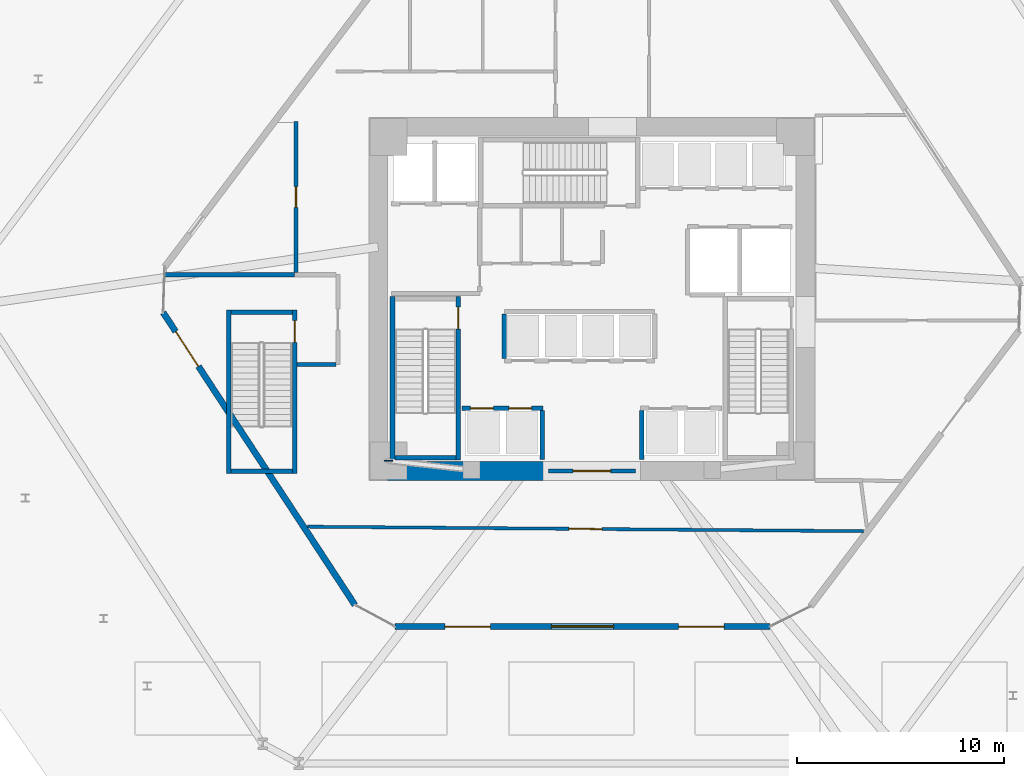
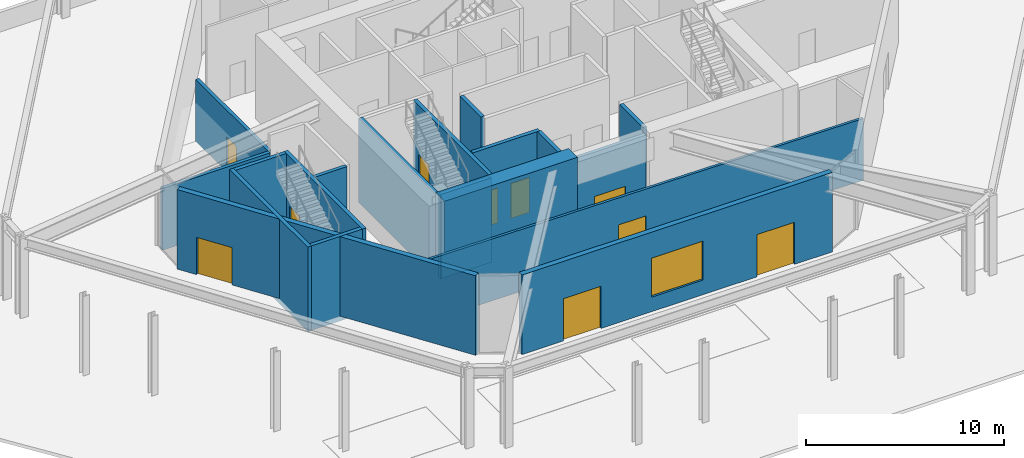
# One storey, part 12 of 18: 19 walls, 10 doors, 1 plate, 1 window, 11 openings.
"""IFC4 building model written with IfcOpenShell, lengths in metres."""

import ifcopenshell
import ifcopenshell.guid

model = None  # the IFC model being written
_history = None  # IfcOwnerHistory: only IFC2X3 demands one
_inside = {}  # id of a spatial element -> (the spatial element, [elements in it])
_under = {}  # id of a project, library or spatial element -> (it, [spatial elements below it])
_declared = {}  # id of a project -> (the project, [libraries it declares])
_typed = {}  # id of a type object -> (the type object, [elements of that type])
_made_of = {}  # id of a material, layer set ... -> (it, [elements and type objects made of it])


def new_model(schema):
    """Start an empty IFC model of exactly this schema.

    Asked for "IFC4X3", IfcOpenShell would pick the latest addendum, in which some entities
    have other attributes; the version numbers below select the first issue.
    IFC2X3 requires an IfcOwnerHistory on every rooted entity: one is made here for all.
    """
    global model, _history
    if schema == "IFC4X3":
        model = ifcopenshell.file(schema_version=(4, 3, 0, 0))
    else:
        model = ifcopenshell.file(schema=schema)
    _inside.clear()
    _under.clear()
    _declared.clear()
    _typed.clear()
    _made_of.clear()
    _history = None
    if model.schema == "IFC2X3":
        org = make("IfcOrganization", Name="unknown")
        user = make(
            "IfcPersonAndOrganization",
            ThePerson=make("IfcPerson", FamilyName="unknown"),
            TheOrganization=org,
        )
        app = make(
            "IfcApplication",
            ApplicationDeveloper=org,
            Version="unknown",
            ApplicationFullName="unknown",
            ApplicationIdentifier="unknown",
        )
        _history = make(
            "IfcOwnerHistory",
            OwningUser=user,
            OwningApplication=app,
            ChangeAction="ADDED",
            CreationDate=0,
        )
    return model


def make(cls, **values):
    """One entity of the class cls with the attributes given. An attribute that is None is left unset."""
    return model.create_entity(
        cls, **{name: value for name, value in values.items() if value is not None}
    )


def rooted(cls, **values):
    """An entity with a GlobalId (a new one), such as an element, a storey or a relation."""
    return make(cls, GlobalId=ifcopenshell.guid.new(), OwnerHistory=_history, **values)


def si_unit(unit_type, name, prefix=None):
    """IfcSIUnit, for example si_unit("LENGTHUNIT", "METRE", prefix="MILLI")."""
    return make("IfcSIUnit", UnitType=unit_type, Prefix=prefix, Name=name)


def assignment(units):
    """IfcUnitAssignment: the units of a project."""
    return None if units is None else make("IfcUnitAssignment", Units=units)


def point(xyz):
    """IfcCartesianPoint."""
    return None if xyz is None else make("IfcCartesianPoint", Coordinates=xyz)


def direction(xyz):
    """IfcDirection."""
    return None if xyz is None else make("IfcDirection", DirectionRatios=xyz)


def frame(location, z_axis=None, x_axis=None):
    """IfcAxis2Placement3D, a coordinate frame: its origin and axes. An axis left out is left unset."""
    return make(
        "IfcAxis2Placement3D",
        Location=point(location),
        Axis=direction(z_axis),
        RefDirection=direction(x_axis),
    )


def frame_2d(location, x_axis=None):
    """IfcAxis2Placement2D, a coordinate frame in the plane: its origin and x axis."""
    return make(
        "IfcAxis2Placement2D", Location=point(location), RefDirection=direction(x_axis)
    )


def origin():
    """The frame at (0, 0, 0) with its axes left unset."""
    return frame((0.0, 0.0, 0.0))


def origin_2d():
    """The frame at (0, 0) in the plane with its x axis left unset."""
    return frame_2d((0.0, 0.0))


def place(relative_to, where):
    """IfcLocalPlacement: puts the frame where relative to a parent placement (None: the world)."""
    return make(
        "IfcLocalPlacement", PlacementRelTo=relative_to, RelativePlacement=where
    )


def context(
    kind, dimensions, precision=None, world=None, true_north=None, identifier=None
):
    """IfcGeometricRepresentationContext, for example the 3D "Model" context."""
    return make(
        "IfcGeometricRepresentationContext",
        ContextIdentifier=identifier,
        ContextType=kind,
        CoordinateSpaceDimension=dimensions,
        Precision=precision,
        WorldCoordinateSystem=world,
        TrueNorth=true_north,
    )


def subcontext(parent, identifier, kind, view, scale=None):
    """IfcGeometricRepresentationSubContext, for example "Body" below "Model"."""
    return make(
        "IfcGeometricRepresentationSubContext",
        ContextIdentifier=identifier,
        ContextType=kind,
        ParentContext=parent,
        TargetScale=scale,
        TargetView=view,
    )


def project(units=None, contexts=None):
    """IfcProject with its units and contexts."""
    return rooted(
        "IfcProject",
        Name="project",
        RepresentationContexts=contexts,
        UnitsInContext=assignment(units),
    )


def spatial(cls, under=None, at=None, **own):
    """A site, building, storey or space (cls), placed at a placement, below another one or the project."""
    s = rooted(cls, ObjectPlacement=at, **own)
    if under is not None:
        _under.setdefault(under.id(), (under, []))[1].append(s)
    return s


def profile(cls, at=None, kind="AREA", **sizes):
    """A parametric profile (cls). Its sizes go by their IFC names, for example OverallWidth=200.0."""
    return make(cls, ProfileType=kind, Position=at, **sizes)


def rectangle(**sizes):
    """IfcRectangleProfileDef."""
    return profile("IfcRectangleProfileDef", **sizes)


def extrude(swept, where, along, depth):
    """IfcExtrudedAreaSolid: the profile swept, set in the frame where, extruded along a direction by depth."""
    return make(
        "IfcExtrudedAreaSolid",
        SweptArea=swept,
        Position=where,
        ExtrudedDirection=direction(along),
        Depth=depth,
    )


def shape(context_of_items, identifier, shape_type, items):
    """IfcShapeRepresentation: the items that make up one representation, for example the "Body"."""
    return make(
        "IfcShapeRepresentation",
        ContextOfItems=context_of_items,
        RepresentationIdentifier=identifier,
        RepresentationType=shape_type,
        Items=items,
    )


def source(mapping_origin, context_of_items, identifier, shape_type, items):
    """IfcRepresentationMap: a shape defined once, which mapped items show again and again."""
    return make(
        "IfcRepresentationMap",
        MappingOrigin=mapping_origin,
        MappedRepresentation=shape(context_of_items, identifier, shape_type, items),
    )


def transform(
    local_origin,
    x_axis=None,
    y_axis=None,
    z_axis=None,
    scale=None,
    scale2=None,
    scale3=None,
    uniform=True,
):
    """IfcCartesianTransformationOperator3D, or its non-uniform kind. x_axis, y_axis, z_axis: its Axis1, 2, 3."""
    if uniform:
        return make(
            "IfcCartesianTransformationOperator3D",
            Axis1=direction(x_axis),
            Axis2=direction(y_axis),
            LocalOrigin=point(local_origin),
            Scale=scale,
            Axis3=direction(z_axis),
        )
    return make(
        "IfcCartesianTransformationOperator3DnonUniform",
        Axis1=direction(x_axis),
        Axis2=direction(y_axis),
        LocalOrigin=point(local_origin),
        Scale=scale,
        Axis3=direction(z_axis),
        Scale2=scale2,
        Scale3=scale3,
    )


def mapped(mapping_source, mapping_target):
    """IfcMappedItem: shows the shape of a source again, moved by a transform."""
    return make(
        "IfcMappedItem", MappingSource=mapping_source, MappingTarget=mapping_target
    )


def material(Name=None, Category=None):
    """IfcMaterial."""
    return make("IfcMaterial", Name=Name, Category=Category)


def layer(
    of_material, thickness, ventilated=None, Name=None, Category=None, Priority=None
):
    """IfcMaterialLayer: one layer of a wall or slab, of a material (None: an air gap)."""
    return make(
        "IfcMaterialLayer",
        Material=of_material,
        LayerThickness=thickness,
        IsVentilated=ventilated,
        Name=Name,
        Category=Category,
        Priority=Priority,
    )


def layer_set(layers, Name=None):
    """IfcMaterialLayerSet."""
    return make("IfcMaterialLayerSet", MaterialLayers=layers, LayerSetName=Name)


def made_of(thing, what):
    """Note that an element or type object is made of a material, layer set ...; save() writes the relation."""
    if what is not None:
        _made_of.setdefault(what.id(), (what, []))[1].append(thing)
    return thing


def type_object(cls, material=None, **own):
    """A type object (cls), such as IfcWallType, which elements share."""
    return made_of(rooted(cls, **own), material)


def type_shapes(of_type, sources):
    """Give a type object the sources (RepresentationMaps) that its elements show as mapped items."""
    of_type.RepresentationMaps = sources


def element(
    cls,
    number,
    at=None,
    inside=None,
    cuts=None,
    type_object=None,
    material=None,
    context=None,
    identifier="Body",
    shape_type=None,
    held_by="IfcProductDefinitionShape",
    body=None,
    shapes=None,
    **own,
):
    """One element of the class cls, such as IfcWall. Its Tag is "e" and its number.

    at: its placement. inside: the storey or other place that contains it. cuts: it is an
    opening in that element (IfcRelVoidsElement). A single representation is given by context,
    identifier, shape_type and body (its items); several are given by shapes. held_by: the class
    of the entity that holds the representations. save() writes the other relations.
    """
    e = rooted(cls, Tag="e%d" % number, ObjectPlacement=at, **own)
    if body is not None:
        shapes = [shape(context, identifier, shape_type, body)]
    if shapes is not None:
        e.Representation = make(held_by, Representations=shapes)
    if inside is not None:
        _inside.setdefault(inside.id(), (inside, []))[1].append(e)
    if cuts is not None:
        rooted(
            "IfcRelVoidsElement", RelatingBuildingElement=cuts, RelatedOpeningElement=e
        )
    if type_object is not None:
        _typed.setdefault(type_object.id(), (type_object, []))[1].append(e)
    return made_of(e, material)


def fill(opening, filler):
    """IfcRelFillsElement: the door or window that sits in an opening."""
    return rooted(
        "IfcRelFillsElement",
        RelatingOpeningElement=opening,
        RelatedBuildingElement=filler,
    )


def aggregate(whole, parts):
    """IfcRelAggregates: a whole, such as a stair, and the parts it consists of."""
    return rooted("IfcRelAggregates", RelatingObject=whole, RelatedObjects=parts)


def save(model, path):
    """Write the relations noted so far, then the file.

    IfcRelAggregates (storeys below a building ...), IfcRelContainedInSpatialStructure (elements
    in a storey), IfcRelDefinesByType, IfcRelAssociatesMaterial and IfcRelDeclares: one each for
    every whole, place, type object, material and project.
    """
    for whole, parts in _under.values():
        aggregate(whole, parts)
    for where, things in _inside.values():
        rooted(
            "IfcRelContainedInSpatialStructure",
            RelatedElements=things,
            RelatingStructure=where,
        )
    for kind, things in _typed.values():
        rooted("IfcRelDefinesByType", RelatedObjects=things, RelatingType=kind)
    for what, things in _made_of.values():
        rooted("IfcRelAssociatesMaterial", RelatedObjects=things, RelatingMaterial=what)
    for by, libraries in _declared.values():
        rooted("IfcRelDeclares", RelatingContext=by, RelatedDefinitions=libraries)
    model.write(path)


model = new_model("IFC4")

# Units and contexts
model_context = context("Model", 3, precision=1e-05, world=origin(), true_north=direction((0.0, 1.0)))
body_context = subcontext(model_context, "Body", "Model", "MODEL_VIEW")
ifc_project = project(units=[si_unit("LENGTHUNIT", "METRE"), si_unit("AREAUNIT", "SQUARE_METRE"), si_unit("VOLUMEUNIT", "CUBIC_METRE"), si_unit("PLANEANGLEUNIT", "RADIAN"), si_unit("MASSUNIT", "GRAM", prefix="KILO")], contexts=[model_context])

# Site, building, storey
site_placement = place(None, origin())
site = spatial("IfcSite", under=ifc_project, at=site_placement, CompositionType="ELEMENT")
building_placement = place(site_placement, origin())
building = spatial("IfcBuilding", under=site, at=building_placement, Name="Durnholm Broadcast Tower", CompositionType="ELEMENT")
storey_placement = place(building_placement, origin())
storey = spatial("IfcBuildingStorey", under=building, at=storey_placement, Name="L00", CompositionType="ELEMENT", Elevation=0.0)

# Plate
ifc_material_1 = material(Name="Steel ASTM A572 Grade 50", Category="steel")
ifc_layer_1 = layer(ifc_material_1, 0.044921875)
ifc_layer_set_1 = layer_set([ifc_layer_1], Name="Steel ASTM A572 Grade 50")
plate_type = type_object("IfcPlateType", Name="PLT-KN-STIF", PredefinedType="SHEET", material=ifc_layer_set_1)
shared_shape_1 = source(origin(), body_context, "Body", "SweptSolid", [
    extrude(rectangle(XDim=0.419921875, YDim=0.050048828125, at=origin_2d()), origin(), (0.0, 0.0, 1.0), 0.419921875),
])
type_shapes(plate_type, [shared_shape_1])
plate_placement = place(storey_placement, frame((-9.800048828125, -7.800048828125, 4.521240234375), z_axis=(0.0, 0.0, 1.0), x_axis=(1.0, 0.0, 0.0)))
element("IfcPlate", 1, at=plate_placement, inside=storey, type_object=plate_type, Name="L00 gallery stringer brace core wall cast-in plate", ObjectType="GUSSET_PLATE", PredefinedType="USERDEFINED", context=body_context, shape_type="MappedRepresentation", body=[
    mapped(shared_shape_1, transform((0.0, 0.0, 0.0), x_axis=(1.0, 0.0, 0.0), y_axis=(0.0, 1.0, 0.0), z_axis=(0.0, 0.0, 1.0), scale=1.0)),
])

# Wall
ifc_material_2 = material(Name="Concrete C70/85", Category="concrete")
ifc_layer_2 = layer(ifc_material_2, 0.89990234375)
ifc_layer_set_2 = layer_set([ifc_layer_2], Name="Concrete C70/85")
wall_type_1 = type_object("IfcWallType", Name="WALL-CW-900", PredefinedType="SHEAR", material=ifc_layer_set_2)
wall_1_placement = place(storey_placement, frame((-9.85009765625, -8.300048828125, 0.0), z_axis=(0.0, 0.0, 1.0), x_axis=(1.0, 0.0, 0.0)))
element("IfcWall", 2, at=wall_1_placement, inside=storey, type_object=wall_type_1, Name="L00 central core shear wall CW-S1", PredefinedType="SHEAR", context=body_context, shape_type="SweptSolid", body=[
    extrude(rectangle(XDim=7.75, YDim=0.89990234375, at=frame_2d((3.875, 0.0))), origin(), (0.0, 0.0, 1.0), 5.199951171875),
])

# Wall, openings, doors, window
ifc_material_3 = material(Name="Precast Concrete C45/55", Category="concrete")
ifc_layer_3 = layer(ifc_material_3, 0.300048828125)
ifc_layer_set_3 = layer_set([ifc_layer_3], Name="Precast Concrete C45/55")
wall_type_2 = type_object("IfcWallType", Name="WALL-EXT-300", PredefinedType="SOLIDWALL", material=ifc_layer_set_3)
wall_2_placement = place(storey_placement, frame((8.5791015625, -15.800048828125, 0.0), z_axis=(0.0, 0.0, 1.0), x_axis=(-1.0, 0.0, 0.0)))
wall_2 = element("IfcWall", 3, at=wall_2_placement, inside=storey, type_object=wall_type_2, Name="L00 plaza perimeter architectural wall 10", PredefinedType="SOLIDWALL", context=body_context, shape_type="SweptSolid", body=[
    extrude(rectangle(XDim=18.065185546875, YDim=0.300048828125, at=frame_2d((9.03271484375, 0.0))), origin(), (0.0, 0.0, 1.0), 4.89990234375),
])
opening_1_placement = place(wall_2_placement, frame((2.199951171875, 0.0, 0.0)))
opening_1 = element("IfcOpeningElement", 4, at=opening_1_placement, cuts=wall_2, Name="Opening DE-1", PredefinedType="OPENING", context=body_context, shape_type="SweptSolid", body=[
    extrude(rectangle(XDim=2.199951171875, YDim=2.60009765625, at=frame_2d((1.10009765625, 1.300048828125))), frame((0.0, 0.16015625, 0.0), z_axis=(0.0, -1.0, 0.0), x_axis=(1.0, 0.0, 0.0)), (0.0, 0.0, 1.0), 0.320068359375),
])
opening_2_placement = place(wall_2_placement, frame((13.465087890625, 0.0, 0.0)))
opening_2 = element("IfcOpeningElement", 5, at=opening_2_placement, cuts=wall_2, Name="Opening DE-1", PredefinedType="OPENING", context=body_context, shape_type="SweptSolid", body=[
    extrude(rectangle(XDim=2.199951171875, YDim=2.60009765625, at=frame_2d((1.10009765625, 1.300048828125))), frame((0.0, 0.16015625, 0.0), z_axis=(0.0, -1.0, 0.0), x_axis=(1.0, 0.0, 0.0)), (0.0, 0.0, 1.0), 0.320068359375),
])
opening_3_placement = place(wall_2_placement, frame((7.532958984375, 0.0, 0.89990234375)))
opening_3 = element("IfcOpeningElement", 6, at=opening_3_placement, cuts=wall_2, Name="Opening W3", PredefinedType="OPENING", context=body_context, shape_type="SweptSolid", body=[
    extrude(rectangle(XDim=3.0, YDim=2.39990234375, at=frame_2d((1.5, 1.199951171875))), frame((0.0, 0.16015625, 0.0), z_axis=(0.0, -1.0, 0.0), x_axis=(1.0, 0.0, 0.0)), (0.0, 0.0, 1.0), 0.320068359375),
])
ifc_material_4 = material(Name="Anodised Aluminium and Laminated Safety Glass", Category="aluminium")
ifc_layer_4 = layer(ifc_material_4, 0.050048828125)
ifc_layer_set_4 = layer_set([ifc_layer_4], Name="Anodised Aluminium and Laminated Safety Glass")
door_type_1 = type_object("IfcDoorType", Name="DOOR-EXT-ENT", OperationType="DOUBLE_DOOR_SINGLE_SWING", PredefinedType="DOOR", material=ifc_layer_set_4)
shared_shape_2 = source(origin(), body_context, "Body", "SweptSolid", [
    extrude(rectangle(XDim=2.199951171875, YDim=2.60009765625, at=frame_2d((1.10009765625, 1.300048828125))), frame((0.0, 0.02490234375, 0.0), z_axis=(0.0, -1.0, 0.0), x_axis=(1.0, 0.0, 0.0)), (0.0, 0.0, 1.0), 0.050048828125),
])
type_shapes(door_type_1, [shared_shape_2])
door_1_placement = place(opening_1_placement, origin())
door_1 = element("IfcDoor", 7, at=door_1_placement, inside=storey, type_object=door_type_1, Name="L00 south main entrance exit door 10.1", OperationType="DOUBLE_DOOR_SINGLE_SWING", OverallHeight=2.60009765625, OverallWidth=2.199951171875, PredefinedType="DOOR", context=body_context, shape_type="MappedRepresentation", body=[
    mapped(shared_shape_2, transform((0.0, 0.0, 0.0), x_axis=(1.0, 0.0, 0.0), y_axis=(0.0, 1.0, 0.0), z_axis=(0.0, 0.0, 1.0), scale=1.0)),
])
fill(opening_1, door_1)
door_2_placement = place(opening_2_placement, origin())
door_2 = element("IfcDoor", 8, at=door_2_placement, inside=storey, type_object=door_type_1, Name="L00 south main entrance exit door 10.2", OperationType="DOUBLE_DOOR_SINGLE_SWING", OverallHeight=2.60009765625, OverallWidth=2.199951171875, PredefinedType="DOOR", context=body_context, shape_type="MappedRepresentation", body=[
    mapped(shared_shape_2, transform((0.0, 0.0, 0.0), x_axis=(1.0, 0.0, 0.0), y_axis=(0.0, 1.0, 0.0), z_axis=(0.0, 0.0, 1.0), scale=1.0)),
])
fill(opening_2, door_2)
ifc_material_5 = material(Name="Thermally Broken Aluminium and Laminated Glass", Category="aluminium")
ifc_layer_5 = layer(ifc_material_5, 0.06005859375)
ifc_layer_set_5 = layer_set([ifc_layer_5], Name="Thermally Broken Aluminium and Laminated Glass")
window_type = type_object("IfcWindowType", Name="WIN-W3", PartitioningType="TRIPLE_PANEL_VERTICAL", PredefinedType="WINDOW", material=ifc_layer_set_5)
shared_shape_3 = source(origin(), body_context, "Body", "SweptSolid", [
    extrude(rectangle(XDim=3.0, YDim=2.39990234375, at=frame_2d((1.5, 1.199951171875))), frame((0.0, 0.030029296875, 0.0), z_axis=(0.0, -1.0, 0.0), x_axis=(1.0, 0.0, 0.0)), (0.0, 0.0, 1.0), 0.06005859375),
])
type_shapes(window_type, [shared_shape_3])
window_placement = place(opening_3_placement, origin())
window = element("IfcWindow", 9, at=window_placement, inside=storey, type_object=window_type, Name="L00 south lobby vision window 10", OverallHeight=2.39990234375, OverallWidth=3.0, PartitioningType="TRIPLE_PANEL_VERTICAL", PredefinedType="WINDOW", context=body_context, shape_type="MappedRepresentation", body=[
    mapped(shared_shape_3, transform((0.0, 0.0, 0.0), x_axis=(1.0, 0.0, 0.0), y_axis=(0.0, 1.0, 0.0), z_axis=(0.0, 0.0, 1.0), scale=1.0)),
])
fill(opening_3, window)

# Wall, opening, door
wall_3_placement = place(storey_placement, frame((-11.421875, -14.75439453125, 0.0), z_axis=(0.0, 0.0, 1.0), x_axis=(-0.548298501614, 0.836282699288, 0.0)))
wall_3 = element("IfcWall", 10, at=wall_3_placement, inside=storey, type_object=wall_type_2, Name="L00 plaza perimeter architectural wall 12", PredefinedType="SOLIDWALL", context=body_context, shape_type="SweptSolid", body=[
    extrude(rectangle(XDim=16.8525390625, YDim=0.300048828125, at=frame_2d((8.42626953125, 0.0))), origin(), (0.0, 0.0, 1.0), 4.89990234375),
])
opening_4_placement = place(wall_3_placement, frame((13.7529296875, 0.0, 0.0)))
opening_4 = element("IfcOpeningElement", 11, at=opening_4_placement, cuts=wall_3, Name="Opening DE-2", PredefinedType="OPENING", context=body_context, shape_type="SweptSolid", body=[
    extrude(rectangle(XDim=2.0, YDim=2.300048828125, at=frame_2d((1.0, 1.14990234375))), frame((0.0, 0.16015625, 0.0), z_axis=(0.0, -1.0, 0.0), x_axis=(1.0, 0.0, 0.0)), (0.0, 0.0, 1.0), 0.320068359375),
])
ifc_layer_6 = layer(ifc_material_4, 0.050048828125)
ifc_layer_set_6 = layer_set([ifc_layer_6], Name="Anodised Aluminium and Laminated Safety Glass")
door_type_2 = type_object("IfcDoorType", Name="DOOR-EXT-EXIT", OperationType="DOUBLE_DOOR_SINGLE_SWING", PredefinedType="DOOR", material=ifc_layer_set_6)
shared_shape_4 = source(origin(), body_context, "Body", "SweptSolid", [
    extrude(rectangle(XDim=2.0, YDim=2.300048828125, at=frame_2d((1.0, 1.14990234375))), frame((0.0, 0.02490234375, 0.0), z_axis=(0.0, -1.0, 0.0), x_axis=(1.0, 0.0, 0.0)), (0.0, 0.0, 1.0), 0.050048828125),
])
type_shapes(door_type_2, [shared_shape_4])
door_3_placement = place(opening_4_placement, origin())
door_3 = element("IfcDoor", 12, at=door_3_placement, inside=storey, type_object=door_type_2, Name="L00 west protected exit passageway discharge door 12", OperationType="DOUBLE_DOOR_SINGLE_SWING", OverallHeight=2.300048828125, OverallWidth=2.0, PredefinedType="DOOR", context=body_context, shape_type="MappedRepresentation", body=[
    mapped(shared_shape_4, transform((0.0, 0.0, 0.0), x_axis=(1.0, 0.0, 0.0), y_axis=(0.0, 1.0, 0.0), z_axis=(0.0, 0.0, 1.0), scale=1.0)),
])
fill(opening_4, door_3)

ifc_material_6 = material(Name="Fire-Rated Gypsum Shaftwall", Category="concrete")
ifc_layer_7 = layer(ifc_material_6, 0.199951171875)
ifc_layer_set_7 = layer_set([ifc_layer_7], Name="Fire-Rated Gypsum Shaftwall")
wall_type_3 = type_object("IfcWallType", Name="WALL-LOB-200", PredefinedType="SOLIDWALL", material=ifc_layer_set_7)
wall_4_placement = place(storey_placement, frame((-2.10009765625, -8.300048828125, 0.0), z_axis=(0.0, 0.0, 1.0), x_axis=(1.0, 0.0, 0.0)))
wall_4 = element("IfcWall", 13, at=wall_4_placement, inside=storey, type_object=wall_type_3, Name="L00 south core lobby fire screen", PredefinedType="SOLIDWALL", context=body_context, shape_type="SweptSolid", body=[
    extrude(rectangle(XDim=4.2001953125, YDim=0.199951171875, at=frame_2d((2.10009765625, 0.0))), origin(), (0.0, 0.0, 1.0), 4.885009765625),
])
opening_5_placement = place(wall_4_placement, frame((1.199951171875, 0.0, 0.0)))
opening_5 = element("IfcOpeningElement", 14, at=opening_5_placement, cuts=wall_4, Name="Opening DP-60", PredefinedType="OPENING", context=body_context, shape_type="SweptSolid", body=[
    extrude(rectangle(XDim=1.800048828125, YDim=2.14990234375, at=frame_2d((0.89990234375, 1.074951171875))), frame((0.0, 0.10986328125, 0.0), z_axis=(0.0, -1.0, 0.0), x_axis=(1.0, 0.0, 0.0)), (0.0, 0.0, 1.0), 0.219970703125),
])
ifc_material_7 = material(Name="Fire-Rated Double Corridor Door", Category="steel")
ifc_layer_8 = layer(ifc_material_7, 0.050048828125)
ifc_layer_set_8 = layer_set([ifc_layer_8], Name="Fire-Rated Double Corridor Door")
door_type_3 = type_object("IfcDoorType", Name="DOOR-PAIR-FD60", OperationType="DOUBLE_DOOR_SINGLE_SWING", PredefinedType="DOOR", material=ifc_layer_set_8)
shared_shape_5 = source(origin(), body_context, "Body", "SweptSolid", [
    extrude(rectangle(XDim=1.800048828125, YDim=2.14990234375, at=frame_2d((0.89990234375, 1.074951171875))), frame((0.0, 0.02490234375, 0.0), z_axis=(0.0, -1.0, 0.0), x_axis=(1.0, 0.0, 0.0)), (0.0, 0.0, 1.0), 0.050048828125),
])
type_shapes(door_type_3, [shared_shape_5])
door_4_placement = place(opening_5_placement, origin())
door_4 = element("IfcDoor", 15, at=door_4_placement, inside=storey, type_object=door_type_3, Name="L00 south core lobby double fire door", OperationType="DOUBLE_DOOR_SINGLE_SWING", OverallHeight=2.14990234375, OverallWidth=1.800048828125, PredefinedType="DOOR", context=body_context, shape_type="MappedRepresentation", body=[
    mapped(shared_shape_5, transform((0.0, 0.0, 0.0), x_axis=(1.0, 0.0, 0.0), y_axis=(0.0, 1.0, 0.0), z_axis=(0.0, 0.0, 1.0), scale=1.0)),
])
fill(opening_5, door_4)

# Wall
wall_5_placement = place(storey_placement, frame((-14.215087890625, -3.159912109375, 0.0), z_axis=(0.0, 0.0, 1.0), x_axis=(1.0, 0.0, 0.0)))
element("IfcWall", 16, at=wall_5_placement, inside=storey, type_object=wall_type_3, Name="L00 West Protected Exit Passageway 2-hour fire barrier", PredefinedType="SOLIDWALL", context=body_context, shape_type="SweptSolid", body=[
    extrude(rectangle(XDim=1.87109375, YDim=0.199951171875, at=frame_2d((0.935546875, 0.0))), origin(), (0.0, 0.0, 1.0), 4.885009765625),
])

# Wall, opening, door
wall_6_placement = place(storey_placement, frame((-14.260009765625, 8.5400390625, 0.0), z_axis=(0.0, 0.0, 1.0), x_axis=(0.0, -1.0, 0.0)))
wall_6 = element("IfcWall", 17, at=wall_6_placement, inside=storey, type_object=wall_type_3, Name="L00 Fire Command Center corridor partition", PredefinedType="SOLIDWALL", context=body_context, shape_type="SweptSolid", body=[
    extrude(rectangle(XDim=7.276123046875, YDim=0.199951171875, at=frame_2d((3.63818359375, 0.0))), origin(), (0.0, 0.0, 1.0), 3.806884765625),
])
opening_6_placement = place(wall_6_placement, frame((3.137939453125, 0.0, 0.0)))
opening_6 = element("IfcOpeningElement", 18, at=opening_6_placement, cuts=wall_6, Name="Opening DL-60L", PredefinedType="OPENING", context=body_context, shape_type="SweptSolid", body=[
    extrude(rectangle(XDim=1.0, YDim=2.14990234375, at=frame_2d((0.5, 1.074951171875))), frame((0.0, 0.10986328125, 0.0), z_axis=(0.0, -1.0, 0.0), x_axis=(1.0, 0.0, 0.0)), (0.0, 0.0, 1.0), 0.219970703125),
])
ifc_material_8 = material(Name="Fire-Rated Timber/Steel Door", Category="steel")
ifc_layer_9 = layer(ifc_material_8, 0.050048828125)
ifc_layer_set_9 = layer_set([ifc_layer_9], Name="Fire-Rated Timber/Steel Door")
door_type_4 = type_object("IfcDoorType", Name="DOOR-LOB-FD60-L", OperationType="NOTDEFINED", PredefinedType="DOOR", material=ifc_layer_set_9)
shared_shape_6 = source(origin(), body_context, "Body", "SweptSolid", [
    extrude(rectangle(XDim=1.0, YDim=2.14990234375, at=frame_2d((0.5, 1.074951171875))), frame((0.0, 0.02490234375, 0.0), z_axis=(0.0, -1.0, 0.0), x_axis=(1.0, 0.0, 0.0)), (0.0, 0.0, 1.0), 0.050048828125),
])
type_shapes(door_type_4, [shared_shape_6])
door_5_placement = place(opening_6_placement, origin())
door_5 = element("IfcDoor", 19, at=door_5_placement, inside=storey, type_object=door_type_4, Name="L00 Fire Command Center entrance door", OperationType="SINGLE_SWING_LEFT", OverallHeight=2.14990234375, OverallWidth=1.0, PredefinedType="DOOR", context=body_context, shape_type="MappedRepresentation", body=[
    mapped(shared_shape_6, transform((0.0, 0.0, 0.0), x_axis=(1.0, 0.0, 0.0), y_axis=(0.0, 1.0, 0.0), z_axis=(0.0, 0.0, 1.0), scale=1.0)),
])
fill(opening_6, door_5)

# Wall
wall_7_placement = place(storey_placement, frame((-14.340087890625, 1.159912109375, 0.0), z_axis=(0.0, 0.0, 1.0), x_axis=(-0.999999972633, 0.000233954606, 0.0)))
element("IfcWall", 20, at=wall_7_placement, inside=storey, type_object=wall_type_3, Name="L00 Fire Command Center corridor partition", PredefinedType="SOLIDWALL", context=body_context, shape_type="SweptSolid", body=[
    extrude(rectangle(XDim=6.26123046875, YDim=0.199951171875, at=frame_2d((3.130615234375, 0.0))), origin(), (0.0, 0.0, 1.0), 3.806884765625),
])

# Wall, opening, door
ifc_material_9 = material(Name="Acoustic Gypsum Stud Partition", Category="concrete")
ifc_layer_10 = layer(ifc_material_9, 0.14990234375)
ifc_layer_set_10 = layer_set([ifc_layer_10], Name="Acoustic Gypsum Stud Partition")
wall_type_4 = type_object("IfcWallType", Name="WALL-PART-150", PredefinedType="PARTITIONING", material=ifc_layer_set_10)
wall_8_placement = place(storey_placement, frame((-13.708984375, -10.9833984375, 0.0), z_axis=(0.0, 0.0, 1.0), x_axis=(0.999966759568, -0.008153512047, 0.0)))
wall_8 = element("IfcWall", 21, at=wall_8_placement, inside=storey, type_object=wall_type_4, Name="L00 Main Broadcast Reception Hall corridor partition", PredefinedType="PARTITIONING", context=body_context, shape_type="SweptSolid", body=[
    extrude(rectangle(XDim=26.799072265625, YDim=0.14990234375, at=frame_2d((13.3994140625, 0.0))), origin(), (0.0, 0.0, 1.0), 3.806884765625),
])
opening_7_placement = place(wall_8_placement, frame((12.599365234375, 0.0, 0.0)))
opening_7 = element("IfcOpeningElement", 22, at=opening_7_placement, cuts=wall_8, Name="Opening DST-160", PredefinedType="OPENING", context=body_context, shape_type="SweptSolid", body=[
    extrude(rectangle(XDim=1.60009765625, YDim=2.14990234375, at=frame_2d((0.800048828125, 1.074951171875))), frame((0.0, 0.0849609375, 0.0), z_axis=(0.0, -1.0, 0.0), x_axis=(1.0, 0.0, 0.0)), (0.0, 0.0, 1.0), 0.169921875),
])
ifc_material_10 = material(Name="Acoustic Broadcast Studio Sound-Lock Door", Category="steel")
ifc_layer_11 = layer(ifc_material_10, 0.050048828125)
ifc_layer_set_11 = layer_set([ifc_layer_11], Name="Acoustic Broadcast Studio Sound-Lock Door")
door_type_5 = type_object("IfcDoorType", Name="DOOR-STU-1600", OperationType="DOUBLE_DOOR_SINGLE_SWING", PredefinedType="DOOR", material=ifc_layer_set_11)
shared_shape_7 = source(origin(), body_context, "Body", "SweptSolid", [
    extrude(rectangle(XDim=1.60009765625, YDim=2.14990234375, at=frame_2d((0.800048828125, 1.074951171875))), frame((0.0, 0.02490234375, 0.0), z_axis=(0.0, -1.0, 0.0), x_axis=(1.0, 0.0, 0.0)), (0.0, 0.0, 1.0), 0.050048828125),
])
type_shapes(door_type_5, [shared_shape_7])
door_6_placement = place(opening_7_placement, origin())
door_6 = element("IfcDoor", 23, at=door_6_placement, inside=storey, type_object=door_type_5, Name="L00 Main Broadcast Reception Hall entrance door", OperationType="DOUBLE_DOOR_SINGLE_SWING", OverallHeight=2.14990234375, OverallWidth=1.60009765625, PredefinedType="DOOR", context=body_context, shape_type="MappedRepresentation", body=[
    mapped(shared_shape_7, transform((0.0, 0.0, 0.0), x_axis=(1.0, 0.0, 0.0), y_axis=(0.0, 1.0, 0.0), z_axis=(0.0, 0.0, 1.0), scale=1.0)),
])
fill(opening_7, door_6)

# Wall, openings, doors
ifc_material_11 = material(Name="Concrete Blockwork C30/37", Category="masonry")
ifc_layer_12 = layer(ifc_material_11, 0.219970703125)
ifc_layer_set_12 = layer_set([ifc_layer_12], Name="Concrete Blockwork C30/37")
wall_type_5 = type_object("IfcWallType", Name="WALL-SHAFT-220", PredefinedType="SOLIDWALL", material=ifc_layer_set_12)
wall_9_placement = place(storey_placement, frame((-6.25, -5.280029296875, 0.0), z_axis=(0.0, 0.0, 1.0), x_axis=(1.0, 0.0, 0.0)))
wall_9 = element("IfcWall", 24, at=wall_9_placement, inside=storey, type_object=wall_type_5, Name="L00 low-rise bank P1 west front wall", PredefinedType="SOLIDWALL", context=body_context, shape_type="SweptSolid", body=[
    extrude(rectangle(XDim=3.89990234375, YDim=0.219970703125, at=frame_2d((1.949951171875, 0.0))), origin(), (0.0, 0.0, 1.0), 4.885009765625),
])
opening_8_placement = place(wall_9_placement, frame((0.39990234375, 0.0, 0.0)))
opening_8 = element("IfcOpeningElement", 25, at=opening_8_placement, cuts=wall_9, Name="Opening LD-LP1-1", PredefinedType="OPENING", context=body_context, shape_type="SweptSolid", body=[
    extrude(rectangle(XDim=1.10009765625, YDim=2.14990234375, at=frame_2d((0.550048828125, 1.074951171875))), frame((0.0, 0.1201171875, 0.0), z_axis=(0.0, -1.0, 0.0), x_axis=(1.0, 0.0, 0.0)), (0.0, 0.0, 1.0), 0.239990234375),
])
opening_9_placement = place(wall_9_placement, frame((2.25, 0.0, 0.0)))
opening_9 = element("IfcOpeningElement", 26, at=opening_9_placement, cuts=wall_9, Name="Opening LD-LP1-2", PredefinedType="OPENING", context=body_context, shape_type="SweptSolid", body=[
    extrude(rectangle(XDim=1.10009765625, YDim=2.14990234375, at=frame_2d((0.550048828125, 1.074951171875))), frame((0.0, 0.1201171875, 0.0), z_axis=(0.0, -1.0, 0.0), x_axis=(1.0, 0.0, 0.0)), (0.0, 0.0, 1.0), 0.239990234375),
])
ifc_material_12 = material(Name="Stainless Steel Sliding Elevator Landing Door", Category="steel")
ifc_layer_13 = layer(ifc_material_12, 0.050048828125)
ifc_layer_set_13 = layer_set([ifc_layer_13], Name="Stainless Steel Sliding Elevator Landing Door")
door_type_6 = type_object("IfcDoorType", Name="DOOR-LIFT-PAX", OperationType="DOUBLE_DOOR_SLIDING", PredefinedType="DOOR", material=ifc_layer_set_13)
shared_shape_8 = source(origin(), body_context, "Body", "SweptSolid", [
    extrude(rectangle(XDim=1.10009765625, YDim=2.14990234375, at=frame_2d((0.550048828125, 1.074951171875))), frame((0.0, 0.02490234375, 0.0), z_axis=(0.0, -1.0, 0.0), x_axis=(1.0, 0.0, 0.0)), (0.0, 0.0, 1.0), 0.050048828125),
])
type_shapes(door_type_6, [shared_shape_8])
door_7_placement = place(opening_8_placement, origin())
door_7 = element("IfcDoor", 27, at=door_7_placement, inside=storey, type_object=door_type_6, Name="L00 passenger elevator LP1-1 sliding landing door", OperationType="DOUBLE_DOOR_SLIDING", OverallHeight=2.14990234375, OverallWidth=1.10009765625, PredefinedType="DOOR", context=body_context, shape_type="MappedRepresentation", body=[
    mapped(shared_shape_8, transform((0.0, 0.0, 0.0), x_axis=(1.0, 0.0, 0.0), y_axis=(0.0, 1.0, 0.0), z_axis=(0.0, 0.0, 1.0), scale=1.0)),
])
fill(opening_8, door_7)
door_8_placement = place(opening_9_placement, origin())
door_8 = element("IfcDoor", 28, at=door_8_placement, inside=storey, type_object=door_type_6, Name="L00 passenger elevator LP1-2 sliding landing door", OperationType="DOUBLE_DOOR_SLIDING", OverallHeight=2.14990234375, OverallWidth=1.10009765625, PredefinedType="DOOR", context=body_context, shape_type="MappedRepresentation", body=[
    mapped(shared_shape_8, transform((0.0, 0.0, 0.0), x_axis=(1.0, 0.0, 0.0), y_axis=(0.0, 1.0, 0.0), z_axis=(0.0, 0.0, 1.0), scale=1.0)),
])
fill(opening_9, door_8)

# Walls
for number, where, z_axis, x_axis, name in (
    (29, (-2.39990234375, -7.75, 0.0), (0.0, 0.0, 1.0), (0.0, 1.0, 0.0), "L00 low-rise bank P1 west mouth wall"),
    (30, (2.39990234375, -7.75, 0.0), (0.0, 0.0, 1.0), (0.0, 1.0, 0.0), "L00 low-rise bank P1 east mouth wall"),
):
    element("IfcWall", number, at=place(storey_placement, frame(where, z_axis=z_axis, x_axis=x_axis)), inside=storey, type_object=wall_type_5, Name=name, PredefinedType="SOLIDWALL", context=body_context, shape_type="SweptSolid", body=[
        extrude(rectangle(XDim=2.35595703125, YDim=0.219970703125, at=frame_2d((1.177978515625, 0.0))), origin(), (0.0, 0.0, 1.0), 4.885009765625),
    ])
wall_10_placement = place(storey_placement, frame((-4.219970703125, -2.865966796875, 0.0), z_axis=(0.0, 0.0, 1.0), x_axis=(0.0, 1.0, 0.0)))
element("IfcWall", 31, at=wall_10_placement, inside=storey, type_object=wall_type_5, Name="L00 mid-rise bank P2 west shaft wall", PredefinedType="SOLIDWALL", context=body_context, shape_type="SweptSolid", body=[
    extrude(rectangle(XDim=2.132080078125, YDim=0.219970703125, at=frame_2d((1.06591796875, 0.0))), origin(), (0.0, 0.0, 1.0), 4.885009765625),
])

# Wall, opening, door
ifc_material_13 = material(Name="Concrete C50/60", Category="concrete")
ifc_layer_14 = layer(ifc_material_13, 0.219970703125)
ifc_layer_set_14 = layer_set([ifc_layer_14], Name="Concrete C50/60")
wall_type_6 = type_object("IfcWallType", Name="WALL-SW-220", PredefinedType="SHEAR", material=ifc_layer_set_14)
wall_11_placement = place(storey_placement, frame((-6.429931640625, -7.77001953125, -0.300048828125), z_axis=(0.0, 0.0, 1.0), x_axis=(0.0, 1.0, 0.0)))
wall_11 = element("IfcWall", 32, at=wall_11_placement, inside=storey, type_object=wall_type_6, Name="L00 stair ST-1 structural shaft wall E", PredefinedType="SHEAR", context=body_context, shape_type="SweptSolid", body=[
    extrude(rectangle(XDim=7.89013671875, YDim=0.219970703125, at=frame_2d((3.945068359375, 0.0))), origin(), (0.0, 0.0, 1.0), 5.199951171875),
])
opening_10_placement = place(wall_11_placement, frame((6.320068359375, 0.0, 0.0)))
opening_10 = element("IfcOpeningElement", 33, at=opening_10_placement, cuts=wall_11, Name="Opening DS-90L", PredefinedType="OPENING", context=body_context, shape_type="SweptSolid", body=[
    extrude(rectangle(XDim=1.050048828125, YDim=2.14990234375, at=frame_2d((0.52490234375, 1.074951171875))), frame((0.0, 0.1201171875, 0.0), z_axis=(0.0, -1.0, 0.0), x_axis=(1.0, 0.0, 0.0)), (0.0, 0.0, 1.0), 0.239990234375),
])
ifc_material_14 = material(Name="Fire-Rated Steel Door", Category="steel")
ifc_layer_15 = layer(ifc_material_14, 0.050048828125)
ifc_layer_set_15 = layer_set([ifc_layer_15], Name="Fire-Rated Steel Door")
door_type_7 = type_object("IfcDoorType", Name="DOOR-ST-FD90-L", OperationType="NOTDEFINED", PredefinedType="DOOR", material=ifc_layer_set_15)
shared_shape_9 = source(origin(), body_context, "Body", "SweptSolid", [
    extrude(rectangle(XDim=1.050048828125, YDim=2.14990234375, at=frame_2d((0.52490234375, 1.074951171875))), frame((0.0, 0.02490234375, 0.0), z_axis=(0.0, -1.0, 0.0), x_axis=(1.0, 0.0, 0.0)), (0.0, 0.0, 1.0), 0.050048828125),
])
type_shapes(door_type_7, [shared_shape_9])
door_9_placement = place(opening_10_placement, origin())
door_9 = element("IfcDoor", 34, at=door_9_placement, inside=storey, type_object=door_type_7, Name="L00 exit stair ST-1 fire door", OperationType="SINGLE_SWING_LEFT", OverallHeight=2.14990234375, OverallWidth=1.050048828125, PredefinedType="DOOR", context=body_context, shape_type="MappedRepresentation", body=[
    mapped(shared_shape_9, transform((0.0, 0.0, 0.0), x_axis=(1.0, 0.0, 0.0), y_axis=(0.0, 1.0, 0.0), z_axis=(0.0, 0.0, 1.0), scale=1.0)),
])
fill(opening_10, door_9)

# Walls
wall_12_placement = place(storey_placement, frame((-9.610107421875, 0.1201171875, -0.300048828125), z_axis=(0.0, 0.0, 1.0), x_axis=(0.0, -1.0, 0.0)))
element("IfcWall", 35, at=wall_12_placement, inside=storey, type_object=wall_type_6, Name="L00 stair ST-1 structural shaft wall W", PredefinedType="SHEAR", context=body_context, shape_type="SweptSolid", body=[
    extrude(rectangle(XDim=7.89013671875, YDim=0.219970703125, at=frame_2d((3.945068359375, 0.0))), origin(), (0.0, 0.0, 1.0), 5.199951171875),
])
wall_13_placement = place(storey_placement, frame((-9.5, -7.659912109375, -0.300048828125), z_axis=(0.0, 0.0, 1.0), x_axis=(1.0, 0.0, 0.0)))
element("IfcWall", 36, at=wall_13_placement, inside=storey, type_object=wall_type_6, Name="L00 stair ST-1 structural shaft wall S", PredefinedType="SHEAR", context=body_context, shape_type="SweptSolid", body=[
    extrude(rectangle(XDim=2.9599609375, YDim=0.219970703125, at=frame_2d((1.47998046875, 0.0))), origin(), (0.0, 0.0, 1.0), 5.199951171875),
])

# Wall, opening, door
wall_14_placement = place(storey_placement, frame((-14.330078125, -8.419921875, -0.300048828125), z_axis=(0.0, 0.0, 1.0), x_axis=(0.0, 1.0, 0.0)))
wall_14 = element("IfcWall", 37, at=wall_14_placement, inside=storey, type_object=wall_type_6, Name="L00 stair ST-4 structural shaft wall E", PredefinedType="SHEAR", context=body_context, shape_type="SweptSolid", body=[
    extrude(rectangle(XDim=7.889892578125, YDim=0.219970703125, at=frame_2d((3.94482421875, 0.0))), origin(), (0.0, 0.0, 1.0), 5.199951171875),
])
opening_11_placement = place(wall_14_placement, frame((6.320068359375, 0.0, 0.0)))
opening_11 = element("IfcOpeningElement", 38, at=opening_11_placement, cuts=wall_14, Name="Opening DS-90R", PredefinedType="OPENING", context=body_context, shape_type="SweptSolid", body=[
    extrude(rectangle(XDim=1.050048828125, YDim=2.14990234375, at=frame_2d((0.52490234375, 1.074951171875))), frame((0.0, 0.1201171875, 0.0), z_axis=(0.0, -1.0, 0.0), x_axis=(1.0, 0.0, 0.0)), (0.0, 0.0, 1.0), 0.239990234375),
])
ifc_layer_16 = layer(ifc_material_14, 0.050048828125)
ifc_layer_set_16 = layer_set([ifc_layer_16], Name="Fire-Rated Steel Door")
door_type_8 = type_object("IfcDoorType", Name="DOOR-ST-FD90-R", OperationType="NOTDEFINED", PredefinedType="DOOR", material=ifc_layer_set_16)
shared_shape_10 = source(origin(), body_context, "Body", "SweptSolid", [
    extrude(rectangle(XDim=1.050048828125, YDim=2.14990234375, at=frame_2d((0.52490234375, 1.074951171875))), frame((0.0, 0.02490234375, 0.0), z_axis=(0.0, -1.0, 0.0), x_axis=(1.0, 0.0, 0.0)), (0.0, 0.0, 1.0), 0.050048828125),
])
type_shapes(door_type_8, [shared_shape_10])
door_10_placement = place(opening_11_placement, origin())
door_10 = element("IfcDoor", 39, at=door_10_placement, inside=storey, type_object=door_type_8, Name="L00 podium stair ST-4 fire door", OperationType="SINGLE_SWING_RIGHT", OverallHeight=2.14990234375, OverallWidth=1.050048828125, PredefinedType="DOOR", context=body_context, shape_type="MappedRepresentation", body=[
    mapped(shared_shape_10, transform((0.0, 0.0, 0.0), x_axis=(1.0, 0.0, 0.0), y_axis=(0.0, 1.0, 0.0), z_axis=(0.0, 0.0, 1.0), scale=1.0)),
])
fill(opening_11, door_10)

# Walls
wall_15_placement = place(storey_placement, frame((-17.510009765625, -0.530029296875, -0.300048828125), z_axis=(0.0, 0.0, 1.0), x_axis=(0.0, -1.0, 0.0)))
element("IfcWall", 40, at=wall_15_placement, inside=storey, type_object=wall_type_6, Name="L00 stair ST-4 structural shaft wall W", PredefinedType="SHEAR", context=body_context, shape_type="SweptSolid", body=[
    extrude(rectangle(XDim=7.889892578125, YDim=0.219970703125, at=frame_2d((3.94482421875, 0.0))), origin(), (0.0, 0.0, 1.0), 5.199951171875),
])
for number, where, z_axis, x_axis, name in (
    (41, (-17.39990234375, -8.31005859375, -0.300048828125), (0.0, 0.0, 1.0), (1.0, 0.0, 0.0), "L00 stair ST-4 structural shaft wall S"),
    (42, (-14.43994140625, -0.639892578125, -0.300048828125), (0.0, 0.0, 1.0), (-1.0, 0.0, 0.0), "L00 stair ST-4 structural shaft wall N"),
):
    element("IfcWall", number, at=place(storey_placement, frame(where, z_axis=z_axis, x_axis=x_axis)), inside=storey, type_object=wall_type_6, Name=name, PredefinedType="SHEAR", context=body_context, shape_type="SweptSolid", body=[
        extrude(rectangle(XDim=2.9599609375, YDim=0.219970703125, at=frame_2d((1.47998046875, 0.0))), origin(), (0.0, 0.0, 1.0), 5.199951171875),
    ])

save(model, "model.ifc")
